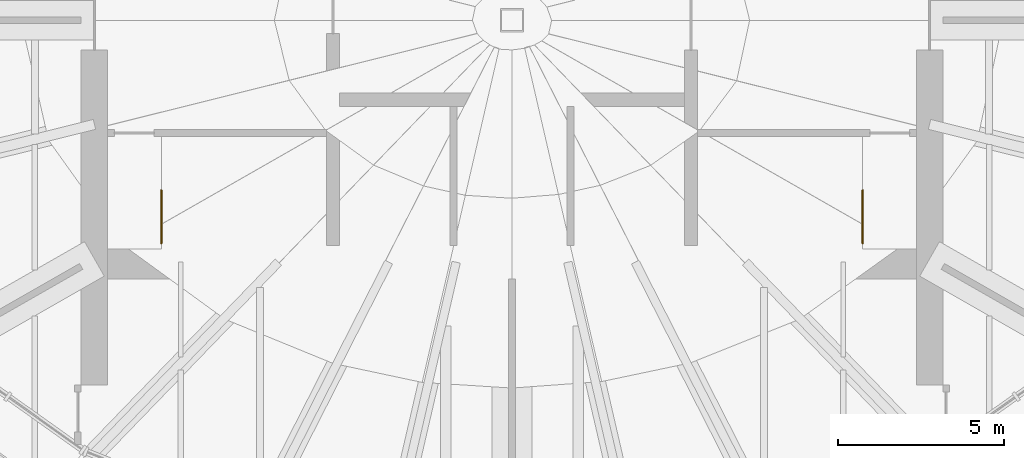
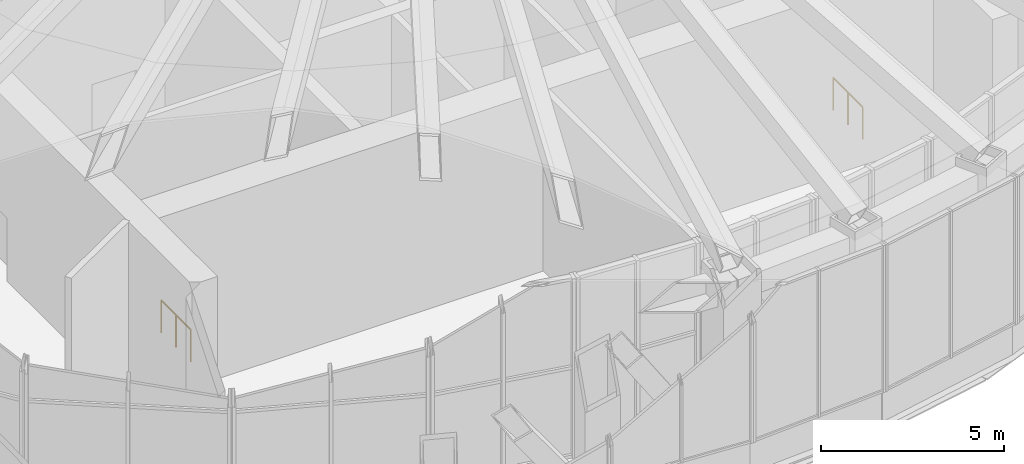
# One storey, part 21 of 21: 2 railings.
"""IFC4 building model written with IfcOpenShell, lengths in metres."""

from ifc_helpers import new_model, si_unit, direction, frame, origin, origin_2d, place, context, subcontext, project, spatial, circle, extrude, material, type_object, element, save


model = new_model("IFC4")

# Units and contexts
model_context = context("Model", 3, precision=1e-05, world=origin(), true_north=direction((0.0, 1.0)))
body_context = subcontext(model_context, "Body", "Model", "MODEL_VIEW")
ifc_project = project(units=[si_unit("LENGTHUNIT", "METRE"), si_unit("AREAUNIT", "SQUARE_METRE"), si_unit("VOLUMEUNIT", "CUBIC_METRE"), si_unit("PLANEANGLEUNIT", "RADIAN"), si_unit("MASSUNIT", "GRAM", prefix="KILO")], contexts=[model_context])

# Site, building, storey
site_placement = place(None, origin())
site = spatial("IfcSite", under=ifc_project, at=site_placement, CompositionType="ELEMENT")
building_placement = place(site_placement, origin())
building = spatial("IfcBuilding", under=site, at=building_placement, Name="Lantaw Convention Tower", CompositionType="ELEMENT")
storey_placement = place(building_placement, frame((0.0, 0.0, 290.39990234375)))
storey = spatial("IfcBuildingStorey", under=building, at=storey_placement, Name="L67", CompositionType="ELEMENT", Elevation=290.39990234375)

# Railings
ifc_material = material(Name="Stainless steel and laminated glass", Category="steel")
railing_type = type_object("IfcRailingType", Name="Guard railing 1100", PredefinedType="GUARDRAIL", material=ifc_material)
for number, where, name in (
    (1, (-10.580078125, -6.72998046875, 0.0), "Stair well guard S1"),
    (2, (10.580078125, -6.72998046875, 0.0), "Stair well guard S2"),
):
    element("IfcRailing", number, at=place(storey_placement, frame(where)), inside=storey, type_object=railing_type, Name=name, PredefinedType="GUARDRAIL", context=body_context, shape_type="SweptSolid", body=[
        extrude(circle(Radius=0.02392578125, at=origin_2d()), frame((0.0, 0.0, 1.076171875), z_axis=(0.0, 1.0, 0.0), x_axis=(-1.0, 0.0, 0.0)), (0.0, 0.0, 1.0), 1.60009765625),
        extrude(circle(Radius=0.02099609375, at=origin_2d()), origin(), (0.0, 0.0, 1.0), 1.052001953125),
        extrude(circle(Radius=0.02099609375, at=origin_2d()), frame((0.0, 0.800048828125, 0.0)), (0.0, 0.0, 1.0), 1.052001953125),
        extrude(circle(Radius=0.02099609375, at=origin_2d()), frame((0.0, 1.60009765625, 0.0)), (0.0, 0.0, 1.0), 1.052001953125),
    ])

save(model, "model.ifc")
